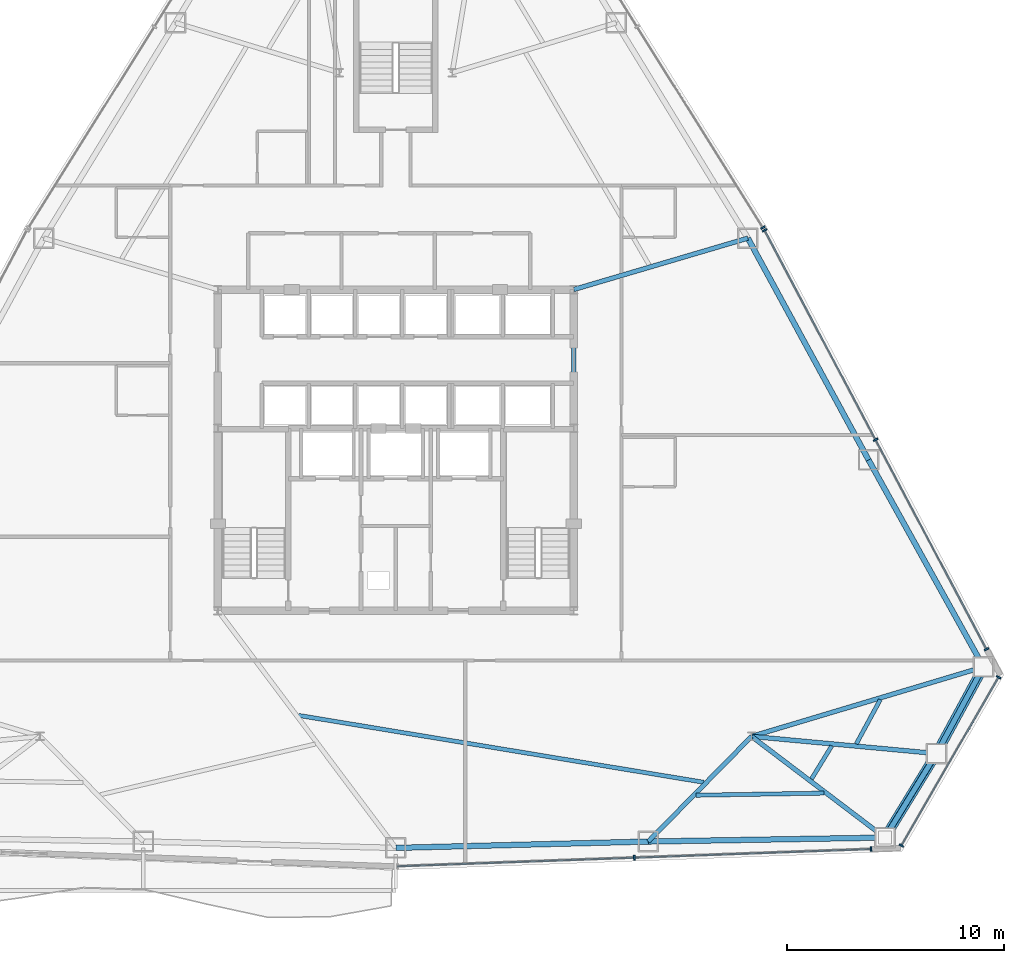
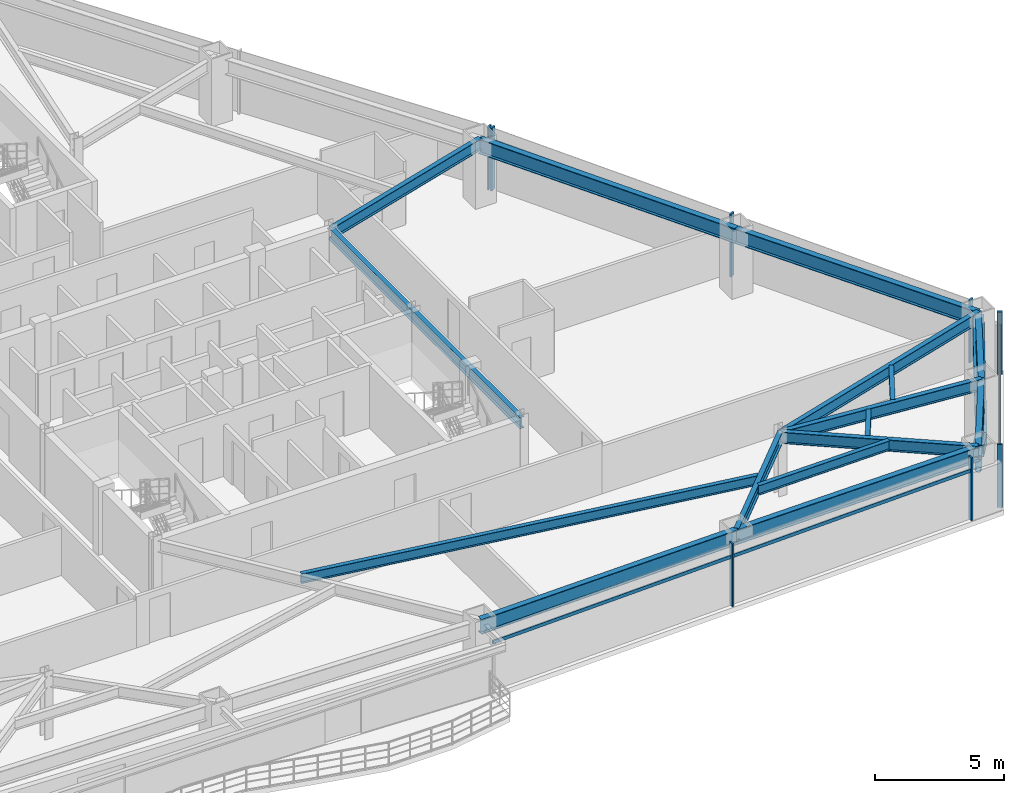
# One storey, part 6 of 13: 16 beams, 14 members, 4 elements without a shape of their own.
"""IFC4 building model written with IfcOpenShell, lengths in metres."""

from ifc_helpers import new_model, si_unit, direction, frame, origin, origin_2d, place, context, subcontext, project, spatial, rectangle, hollow_rectangle, hollow_circle, i_section, extrude, source, transform, mapped, material, layer, layer_set, material_profile, profile_set, type_object, type_shapes, element, aggregate, save


model = new_model("IFC4")

# Units and contexts
model_context = context("Model", 3, precision=1e-05, world=origin(), true_north=direction((0.0, 1.0)))
body_context = subcontext(model_context, "Body", "Model", "MODEL_VIEW")
ifc_project = project(units=[si_unit("LENGTHUNIT", "METRE"), si_unit("AREAUNIT", "SQUARE_METRE"), si_unit("VOLUMEUNIT", "CUBIC_METRE"), si_unit("PLANEANGLEUNIT", "RADIAN"), si_unit("MASSUNIT", "GRAM", prefix="KILO")], contexts=[model_context])

# Site, building, storey
site_placement = place(None, origin())
site = spatial("IfcSite", under=ifc_project, at=site_placement, CompositionType="ELEMENT")
building_placement = place(site_placement, origin())
building = spatial("IfcBuilding", under=site, at=building_placement, Name="Varakhsha Concourse Tower", CompositionType="ELEMENT")
storey_placement = place(building_placement, frame((0.0, 0.0, 95.800048828125)))
storey = spatial("IfcBuildingStorey", under=building, at=storey_placement, Name="L27", CompositionType="ELEMENT", Elevation=95.800048828125)

# Beams
ifc_material_1 = material(Name="Structural Steel ASTM A992 Grade 50", Category="steel")
ifc_material_profile_1 = material_profile(ifc_material_1, i_section(OverallWidth=0.19091796875, OverallDepth=0.45703125, WebThickness=0.009033203125, FlangeThickness=0.013916015625, at=origin_2d()), Name="W18X50")
ifc_profile_set_1 = profile_set([ifc_material_profile_1], Name="Structural Steel ASTM A992 Grade 50")
beam_type_1 = type_object("IfcBeamType", Name="BM-JST-W18X50", PredefinedType="JOIST", material=ifc_profile_set_1)
beam_1_placement = place(storey_placement, frame((35.5166015625, 11.569091796875, 2.741455078125), z_axis=(0.986648558625, -0.162863813547, 0.0), x_axis=(0.162863813547, 0.986648558625, 0.0)))
element("IfcBeam", 1, at=beam_1_placement, inside=storey, type_object=beam_type_1, Name="BM-TJST-L27-11", PredefinedType="JOIST", context=body_context, shape_type="SweptSolid", body=[
    extrude(i_section(OverallWidth=0.19091796875, OverallDepth=0.45703125, WebThickness=0.009033203125, FlangeThickness=0.013916015625, at=origin_2d()), origin(), (0.0, 0.0, 1.0), 18.931396484375),
])
beam_2_placement = place(storey_placement, frame((53.842041015625, 7.88818359375, 2.741455078125), z_axis=(0.999859894616, 0.016738910883, 0.0), x_axis=(-0.016738910883, 0.999859894616, 0.0)))
element("IfcBeam", 2, at=beam_2_placement, inside=storey, type_object=beam_type_1, Name="BM-TJST-L27-12", PredefinedType="JOIST", context=body_context, shape_type="SweptSolid", body=[
    extrude(i_section(OverallWidth=0.19091796875, OverallDepth=0.45703125, WebThickness=0.009033203125, FlangeThickness=0.013916015625, at=origin_2d()), origin(), (0.0, 0.0, 1.0), 5.892333984375),
])
beam_3_placement = place(storey_placement, frame((59.1630859375, 8.64208984375, 2.741455078125), z_axis=(0.52272616907, 0.852500646433, 0.0), x_axis=(-0.852500646433, 0.52272616907, 0.0)))
element("IfcBeam", 3, at=beam_3_placement, inside=storey, type_object=beam_type_1, Name="BM-TJST-L27-13", PredefinedType="JOIST", context=body_context, shape_type="SweptSolid", body=[
    extrude(i_section(OverallWidth=0.19091796875, OverallDepth=0.45703125, WebThickness=0.009033203125, FlangeThickness=0.013916015625, at=origin_2d()), origin(), (0.0, 0.0, 1.0), 1.779052734375),
])
beam_4_placement = place(storey_placement, frame((61.2255859375, 10.25439453125, 2.741455078125), z_axis=(0.47708490889, 0.878857206667, 0.0), x_axis=(-0.878857206667, 0.47708490889, 0.0)))
element("IfcBeam", 4, at=beam_4_placement, inside=storey, type_object=beam_type_1, Name="BM-TJST-L27-14", PredefinedType="JOIST", context=body_context, shape_type="SweptSolid", body=[
    extrude(i_section(OverallWidth=0.19091796875, OverallDepth=0.45703125, WebThickness=0.009033203125, FlangeThickness=0.013916015625, at=origin_2d()), origin(), (0.0, 0.0, 1.0), 2.32421875),
])
ifc_material_profile_2 = material_profile(ifc_material_1, i_section(OverallWidth=0.2109375, OverallDepth=0.5390625, WebThickness=0.011962890625, FlangeThickness=0.01904296875, at=origin_2d()), Name="W21X73")
ifc_profile_set_2 = profile_set([ifc_material_profile_2], Name="Structural Steel ASTM A992 Grade 50")
beam_type_2 = type_object("IfcBeamType", Name="BM-RAD-W21X73", PredefinedType="BEAM", material=ifc_profile_set_2)
beam_5_placement = place(storey_placement, frame((48.199951171875, 16.39990234375, 2.700439453125), z_axis=(0.0, 1.0, 0.0), x_axis=(-1.0, 0.0, 0.0)))
element("IfcBeam", 5, at=beam_5_placement, inside=storey, type_object=beam_type_2, Name="BM-TCORE-L27-CE", PredefinedType="BEAM", context=body_context, shape_type="SweptSolid", body=[
    extrude(i_section(OverallWidth=0.2109375, OverallDepth=0.5390625, WebThickness=0.011962890625, FlangeThickness=0.01904296875, at=origin_2d()), origin(), (0.0, 0.0, 1.0), 14.800048828125),
])
beam_6_placement = place(storey_placement, frame((56.39990234375, 10.60009765625, 2.700439453125), z_axis=(-0.701063539326, -0.713098810704, 0.0), x_axis=(0.713098810704, -0.701063539326, 0.0)))
element("IfcBeam", 6, at=beam_6_placement, inside=storey, type_object=beam_type_2, Name="L27 Radial Floor Girder 12", PredefinedType="BEAM", context=body_context, shape_type="SweptSolid", body=[
    extrude(i_section(OverallWidth=0.2109375, OverallDepth=0.5390625, WebThickness=0.011962890625, FlangeThickness=0.01904296875, at=origin_2d()), origin(), (0.0, 0.0, 1.0), 6.795654296875),
])
beam_7_placement = place(storey_placement, frame((56.39990234375, 10.60009765625, 2.700439453125), z_axis=(0.79681521448, -0.604223066403, 0.0), x_axis=(0.604223066403, 0.79681521448, 0.0)))
element("IfcBeam", 7, at=beam_7_placement, inside=storey, type_object=beam_type_2, Name="L27 Radial Floor Girder 13", PredefinedType="BEAM", context=body_context, shape_type="SweptSolid", body=[
    extrude(i_section(OverallWidth=0.2109375, OverallDepth=0.5390625, WebThickness=0.011962890625, FlangeThickness=0.01904296875, at=origin_2d()), origin(), (0.0, 0.0, 1.0), 7.717529296875),
])
beam_8_placement = place(storey_placement, frame((56.39990234375, 10.60009765625, 2.700439453125), z_axis=(0.995734610944, -0.092263668731, 0.0), x_axis=(0.092263668731, 0.995734610944, 0.0)))
element("IfcBeam", 8, at=beam_8_placement, inside=storey, type_object=beam_type_2, Name="L27 Radial Floor Girder 14", PredefinedType="BEAM", context=body_context, shape_type="SweptSolid", body=[
    extrude(i_section(OverallWidth=0.2109375, OverallDepth=0.5390625, WebThickness=0.011962890625, FlangeThickness=0.01904296875, at=origin_2d()), origin(), (0.0, 0.0, 1.0), 8.560302734375),
])
beam_9_placement = place(storey_placement, frame((56.39990234375, 10.60009765625, 2.700439453125), z_axis=(0.957930379652, 0.287000675505, 0.0), x_axis=(-0.287000675505, 0.957930379652, 0.0)))
element("IfcBeam", 9, at=beam_9_placement, inside=storey, type_object=beam_type_2, Name="L27 Radial Floor Girder 15", PredefinedType="BEAM", context=body_context, shape_type="SweptSolid", body=[
    extrude(i_section(OverallWidth=0.2109375, OverallDepth=0.5390625, WebThickness=0.011962890625, FlangeThickness=0.01904296875, at=origin_2d()), origin(), (0.0, 0.0, 1.0), 11.16064453125),
])
beam_10_placement = place(storey_placement, frame((48.199951171875, 31.199951171875, 2.700439453125), z_axis=(0.959108264711, 0.283039461143, 0.0), x_axis=(-0.283039461143, 0.959108264711, 0.0)))
element("IfcBeam", 10, at=beam_10_placement, inside=storey, type_object=beam_type_2, Name="L27 Radial Floor Girder 17", PredefinedType="BEAM", context=body_context, shape_type="SweptSolid", body=[
    extrude(i_section(OverallWidth=0.2109375, OverallDepth=0.5390625, WebThickness=0.011962890625, FlangeThickness=0.01904296875, at=origin_2d()), origin(), (0.0, 0.0, 1.0), 8.370361328125),
])
ifc_material_profile_3 = material_profile(ifc_material_1, i_section(OverallWidth=0.25390625, OverallDepth=0.701904296875, WebThickness=0.014892578125, FlangeThickness=0.028076171875, at=origin_2d()), Name="W27X129")
ifc_profile_set_3 = profile_set([ifc_material_profile_3], Name="Structural Steel ASTM A992 Grade 50")
beam_type_3 = type_object("IfcBeamType", Name="BM-SPAN-W27X129", PredefinedType="SPANDREL", material=ifc_profile_set_3)
beam_11_placement = place(storey_placement, frame((40.0, 5.46142578125, 2.618896484375), z_axis=(0.99968370363, 0.025149407483, 0.0), x_axis=(-0.025149407483, 0.99968370363, 0.0)))
element("IfcBeam", 11, at=beam_11_placement, inside=storey, type_object=beam_type_3, Name="BM-SPAN-L27-11", PredefinedType="SPANDREL", context=body_context, shape_type="SweptSolid", body=[
    extrude(i_section(OverallWidth=0.25390625, OverallDepth=0.701904296875, WebThickness=0.014892578125, FlangeThickness=0.028076171875, at=origin_2d()), origin(), (0.0, 0.0, 1.0), 11.639404296875),
])
beam_12_placement = place(storey_placement, frame((51.6357421875, 5.754150390625, 2.618896484375), z_axis=(0.999859657794, 0.016753050953, 0.0), x_axis=(-0.016753050953, 0.999859657794, 0.0)))
element("IfcBeam", 12, at=beam_12_placement, inside=storey, type_object=beam_type_3, Name="BM-SPAN-L27-12", PredefinedType="SPANDREL", context=body_context, shape_type="SweptSolid", body=[
    extrude(i_section(OverallWidth=0.25390625, OverallDepth=0.701904296875, WebThickness=0.014892578125, FlangeThickness=0.028076171875, at=origin_2d()), origin(), (0.0, 0.0, 1.0), 10.9150390625),
])
beam_13_placement = place(storey_placement, frame((62.54931640625, 5.93701171875, 2.618896484375), z_axis=(0.522612462801, 0.852570357053, 0.0), x_axis=(-0.852570357053, 0.522612462801, 0.0)))
element("IfcBeam", 13, at=beam_13_placement, inside=storey, type_object=beam_type_3, Name="BM-SPAN-L27-13", PredefinedType="SPANDREL", context=body_context, shape_type="SweptSolid", body=[
    extrude(i_section(OverallWidth=0.25390625, OverallDepth=0.701904296875, WebThickness=0.014892578125, FlangeThickness=0.028076171875, at=origin_2d()), origin(), (0.0, 0.0, 1.0), 4.54296875),
])
beam_14_placement = place(storey_placement, frame((64.923583984375, 9.810302734375, 2.618896484375), z_axis=(0.47707407482, 0.878863087821, 0.0), x_axis=(-0.878863087821, 0.47707407482, 0.0)))
element("IfcBeam", 14, at=beam_14_placement, inside=storey, type_object=beam_type_3, Name="BM-SPAN-L27-14", PredefinedType="SPANDREL", context=body_context, shape_type="SweptSolid", body=[
    extrude(i_section(OverallWidth=0.25390625, OverallDepth=0.701904296875, WebThickness=0.014892578125, FlangeThickness=0.028076171875, at=origin_2d()), origin(), (0.0, 0.0, 1.0), 4.543212890625),
])
beam_15_placement = place(storey_placement, frame((67.091064453125, 13.80322265625, 2.618896484375), z_axis=(-0.485437813763, 0.874271198753, 0.0), x_axis=(-0.874271198753, -0.485437813763, 0.0)))
element("IfcBeam", 15, at=beam_15_placement, inside=storey, type_object=beam_type_3, Name="BM-SPAN-L27-15", PredefinedType="SPANDREL", context=body_context, shape_type="SweptSolid", body=[
    extrude(i_section(OverallWidth=0.25390625, OverallDepth=0.701904296875, WebThickness=0.014892578125, FlangeThickness=0.028076171875, at=origin_2d()), origin(), (0.0, 0.0, 1.0), 10.9150390625),
])
beam_16_placement = place(storey_placement, frame((61.79248046875, 23.345947265625, 2.618896484375), z_axis=(-0.478070108108, 0.878321678962, 0.0), x_axis=(-0.878321678962, -0.478070108108, 0.0)))
element("IfcBeam", 16, at=beam_16_placement, inside=storey, type_object=beam_type_3, Name="BM-SPAN-L27-16", PredefinedType="SPANDREL", context=body_context, shape_type="SweptSolid", body=[
    extrude(i_section(OverallWidth=0.25390625, OverallDepth=0.701904296875, WebThickness=0.014892578125, FlangeThickness=0.028076171875, at=origin_2d()), origin(), (0.0, 0.0, 1.0), 11.639404296875),
])

# Members
ifc_material_2 = material(Name="Structural Steel ASTM A500 Grade C", Category="steel")
ifc_material_profile_4 = material_profile(ifc_material_2, hollow_rectangle(XDim=0.449951171875, YDim=0.449951171875, WallThickness=0.01904296875, at=origin_2d()), Name="HSS 450x450x19")
ifc_profile_set_4 = profile_set([ifc_material_profile_4], Name="Structural Steel ASTM A500 Grade C")
member_type_1 = type_object("IfcMemberType", Name="MB-TUBE-HSS450", PredefinedType="BRACE", material=ifc_profile_set_4)
shared_shape_1 = source(origin(), body_context, "Body", "SweptSolid", [
    extrude(hollow_rectangle(XDim=0.449951171875, YDim=0.449951171875, WallThickness=0.01904296875, at=origin_2d()), origin(), (0.0, 0.0, 1.0), 5.209716796875),
])
member_1_placement = place(storey_placement, frame((64.923583984375, 9.810302734375, 0.119873046875), z_axis=(-0.455728834784, -0.743458916591, 0.48946917011), x_axis=(0.852570357053, -0.522612462801, 0.0)))
element("IfcMember", 17, at=member_1_placement, inside=storey, type_object=member_type_1, Name="L27 Wind-Corner Tube Brace B05", PredefinedType="BRACE", context=body_context, shape_type="MappedRepresentation", body=[
    mapped(shared_shape_1, transform((0.0, 0.0, 0.0), scale=1.0)),
])
shared_shape_2 = source(origin(), body_context, "Body", "SweptSolid", [
    extrude(hollow_rectangle(XDim=0.449951171875, YDim=0.449951171875, WallThickness=0.01904296875, at=origin_2d()), origin(), (0.0, 0.0, 1.0), 5.2099609375),
])
type_shapes(member_type_1, [shared_shape_1, shared_shape_2])
member_2_placement = place(storey_placement, frame((64.923583984375, 9.810302734375, 0.119873046875), z_axis=(0.416022891855, 0.766394953401, 0.489452478647), x_axis=(-0.878863087821, 0.47707407482, 0.0)))
element("IfcMember", 18, at=member_2_placement, inside=storey, type_object=member_type_1, Name="L27 Wind-Corner Tube Brace B06", PredefinedType="BRACE", context=body_context, shape_type="MappedRepresentation", body=[
    mapped(shared_shape_2, transform((0.0, 0.0, 0.0), scale=1.0)),
])
ifc_material_profile_5 = material_profile(ifc_material_2, hollow_circle(Radius=0.136474609375, WallThickness=0.011962890625, at=origin_2d()), Name="CHS 273x12")
ifc_profile_set_5 = profile_set([ifc_material_profile_5], Name="Structural Steel ASTM A500 Grade C")
member_type_2 = type_object("IfcMemberType", Name="MB-WIND-CHS273", PredefinedType="COLLAR", material=ifc_profile_set_5)
shared_shape_3 = source(origin(), body_context, "Body", "SweptSolid", [
    extrude(hollow_circle(Radius=0.136474609375, WallThickness=0.011962890625, at=origin_2d()), origin(), (0.0, 0.0, 1.0), 4.54296875),
])
type_shapes(member_type_2, [shared_shape_3])
member_3_placement = place(storey_placement, frame((62.54931640625, 5.93701171875, 1.800048828125), z_axis=(0.522612462801, 0.852570357053, 0.0), x_axis=(-0.852570357053, 0.522612462801, 0.0)))
element("IfcMember", 19, at=member_3_placement, inside=storey, type_object=member_type_2, Name="L27 Wind-Corner Collar Tie 3", PredefinedType="COLLAR", context=body_context, shape_type="MappedRepresentation", body=[
    mapped(shared_shape_3, transform((0.0, 0.0, 0.0), scale=1.0)),
])

# Curtain wall, members
ifc_material_3 = material(Name="Anodised Bronze Architectural Aluminium AA 6063-T6", Category="aluminium")
ifc_layer = layer(ifc_material_3, 0.199951171875, Name="CW-SYS-03")
ifc_layer_set = layer_set([ifc_layer], Name="Anodised Bronze Architectural Aluminium AA 6063-T6")
curtain_wall_type = type_object("IfcCurtainWallType", Name="CW-SYS-03", PredefinedType="NOTDEFINED", material=ifc_layer_set)
curtain_wall_1_placement = place(storey_placement, origin())
curtain_wall_1 = element("IfcCurtainWall", 20, at=curtain_wall_1_placement, inside=storey, type_object=curtain_wall_type, Name="L27 Crystal Curtain Wall F6", PredefinedType="NOTDEFINED")
ifc_material_profile_6 = material_profile(ifc_material_3, rectangle(XDim=0.074951171875, YDim=0.219970703125, at=origin_2d()), Name="CWM-220X75")
ifc_profile_set_6 = profile_set([ifc_material_profile_6], Name="Anodised Bronze Architectural Aluminium AA 6063-T6")
member_type_3 = type_object("IfcMemberType", Name="CWM-220X75", PredefinedType="MULLION", material=ifc_profile_set_6)
shared_shape_4 = source(origin(), body_context, "Body", "SweptSolid", [
    extrude(rectangle(XDim=0.074951171875, YDim=0.219970703125, at=origin_2d()), origin(), (0.0, 0.0, 1.0), 2.969970703125),
])
type_shapes(member_type_3, [shared_shape_4])
member_4_placement = place(storey_placement, frame((61.910888671875, 5.408203125, 0.0), z_axis=(0.0, 0.0, 1.0), x_axis=(-0.999336427987, -0.03642394403, 0.0)))
member_4 = element("IfcMember", 21, at=member_4_placement, type_object=member_type_3, Name="CW-L27-F6 Mullion 00", PredefinedType="MULLION", context=body_context, shape_type="MappedRepresentation", body=[
    mapped(shared_shape_4, transform((0.0, 0.0, 0.0), scale=1.0)),
])
member_5_placement = place(storey_placement, frame((50.992431640625, 5.01025390625, 0.0), z_axis=(0.0, 0.0, 1.0), x_axis=(-0.999336427987, -0.03642394403, 0.0)))
member_5 = element("IfcMember", 22, at=member_5_placement, type_object=member_type_3, Name="CW-L27-F6 Mullion 01", PredefinedType="MULLION", context=body_context, shape_type="MappedRepresentation", body=[
    mapped(shared_shape_4, transform((0.0, 0.0, 0.0), scale=1.0)),
])

curtain_wall_2_placement = place(storey_placement, origin())
curtain_wall_2 = element("IfcCurtainWall", 23, at=curtain_wall_2_placement, inside=storey, type_object=curtain_wall_type, Name="L27 Chamfer Curtain Wall F7", PredefinedType="NOTDEFINED")
member_6_placement = place(storey_placement, frame((67.787109375, 13.330078125, 0.0), z_axis=(0.0, 0.0, 1.0), x_axis=(-0.5, -0.866025403784, 0.0)))
member_6 = element("IfcMember", 24, at=member_6_placement, type_object=member_type_3, Name="CW-L27-F7 Mullion 00", PredefinedType="MULLION", context=body_context, shape_type="MappedRepresentation", body=[
    mapped(shared_shape_4, transform((0.0, 0.0, 0.0), scale=1.0)),
])
member_7_placement = place(storey_placement, frame((63.30712890625, 5.570556640625, 0.0), z_axis=(0.0, 0.0, 1.0), x_axis=(-0.5, -0.866025403784, 0.0)))
member_7 = element("IfcMember", 25, at=member_7_placement, type_object=member_type_3, Name="CW-L27-F7 Mullion 01", PredefinedType="MULLION", context=body_context, shape_type="MappedRepresentation", body=[
    mapped(shared_shape_4, transform((0.0, 0.0, 0.0), scale=1.0)),
])

curtain_wall_3_placement = place(storey_placement, origin())
curtain_wall_3 = element("IfcCurtainWall", 26, at=curtain_wall_3_placement, inside=storey, type_object=curtain_wall_type, Name="L27 Crystal Curtain Wall F8", PredefinedType="NOTDEFINED")
member_8_placement = place(storey_placement, frame((57.00048828125, 33.9296875, 0.0), z_axis=(0.0, 0.0, 1.0), x_axis=(0.468124153157, -0.883662705579, 0.0)))
member_8 = element("IfcMember", 27, at=member_8_placement, type_object=member_type_3, Name="CW-L27-F8 Mullion 00", PredefinedType="MULLION", context=body_context, shape_type="MappedRepresentation", body=[
    mapped(shared_shape_4, transform((0.0, 0.0, 0.0), scale=1.0)),
])
member_9_placement = place(storey_placement, frame((62.114990234375, 24.275146484375, 0.0), z_axis=(0.0, 0.0, 1.0), x_axis=(0.468124153157, -0.883662705579, 0.0)))
member_9 = element("IfcMember", 28, at=member_9_placement, type_object=member_type_3, Name="CW-L27-F8 Mullion 01", PredefinedType="MULLION", context=body_context, shape_type="MappedRepresentation", body=[
    mapped(shared_shape_4, transform((0.0, 0.0, 0.0), scale=1.0)),
])
member_10_placement = place(storey_placement, frame((67.2294921875, 14.62060546875, 0.0), z_axis=(0.0, 0.0, 1.0), x_axis=(0.468124153157, -0.883662705579, 0.0)))
member_10 = element("IfcMember", 29, at=member_10_placement, type_object=member_type_3, Name="CW-L27-F8 Mullion 02", PredefinedType="MULLION", context=body_context, shape_type="MappedRepresentation", body=[
    mapped(shared_shape_4, transform((0.0, 0.0, 0.0), scale=1.0)),
])

# Curtain wall, member
curtain_wall_4_placement = place(storey_placement, origin())
curtain_wall_4 = element("IfcCurtainWall", 30, at=curtain_wall_4_placement, inside=storey, type_object=curtain_wall_type, Name="L27 Crystal Curtain Wall F9", PredefinedType="NOTDEFINED")
member_11_placement = place(storey_placement, frame((56.92626953125, 34.05810546875, 0.0), z_axis=(0.0, 0.0, 1.0), x_axis=(0.531209317405, -0.847240615824, 0.0)))
member_11 = element("IfcMember", 31, at=member_11_placement, type_object=member_type_3, Name="CW-L27-F9 Mullion 02", PredefinedType="MULLION", context=body_context, shape_type="MappedRepresentation", body=[
    mapped(shared_shape_4, transform((0.0, 0.0, 0.0), scale=1.0)),
])
aggregate(curtain_wall_4, [member_11])

# Member
ifc_material_profile_7 = material_profile(ifc_material_3, rectangle(XDim=0.06494140625, YDim=0.159912109375, at=origin_2d()), Name="CWT-160X65")
ifc_profile_set_7 = profile_set([ifc_material_profile_7], Name="Anodised Bronze Architectural Aluminium AA 6063-T6")
member_type_4 = type_object("IfcMemberType", Name="CWT-160X65", PredefinedType="USERDEFINED", material=ifc_profile_set_7)
shared_shape_5 = source(origin(), body_context, "Body", "SweptSolid", [
    extrude(rectangle(XDim=0.06494140625, YDim=0.159912109375, at=origin_2d()), origin(), (0.0, 0.0, 1.0), 8.9599609375),
])
member_12_placement = place(storey_placement, frame((67.787109375, 13.330078125, 2.320068359375), z_axis=(-0.500001561196, -0.866024502425, 0.0), x_axis=(0.866024502425, -0.500001561196, 0.0)))
member_12 = element("IfcMember", 32, at=member_12_placement, type_object=member_type_4, Name="CW-L27-F7 Transom 01", ObjectType="TRANSOM", PredefinedType="USERDEFINED", context=body_context, shape_type="MappedRepresentation", body=[
    mapped(shared_shape_5, transform((0.0, 0.0, 0.0), scale=1.0)),
])

aggregate(curtain_wall_2, [member_6, member_7, member_12])

shared_shape_6 = source(origin(), body_context, "Body", "SweptSolid", [
    extrude(rectangle(XDim=0.06494140625, YDim=0.159912109375, at=origin_2d()), origin(), (0.0, 0.0, 1.0), 21.85107421875),
])
type_shapes(member_type_4, [shared_shape_5, shared_shape_6])
member_13_placement = place(storey_placement, frame((61.910888671875, 5.408203125, 2.320068359375), z_axis=(-0.999336440224, -0.036423608277, 0.0), x_axis=(0.036423608277, -0.999336440224, 0.0)))
member_13 = element("IfcMember", 33, at=member_13_placement, type_object=member_type_4, Name="CW-L27-F6 Transom 01", ObjectType="TRANSOM", PredefinedType="USERDEFINED", context=body_context, shape_type="MappedRepresentation", body=[
    mapped(shared_shape_6, transform((0.0, 0.0, 0.0), scale=1.0)),
])

aggregate(curtain_wall_1, [member_4, member_5, member_13])

member_14_placement = place(storey_placement, frame((57.00048828125, 33.9296875, 2.320068359375), z_axis=(0.468121791174, -0.883663956846, 0.0), x_axis=(0.883663956846, 0.468121791174, 0.0)))
member_14 = element("IfcMember", 34, at=member_14_placement, type_object=member_type_4, Name="CW-L27-F8 Transom 01", ObjectType="TRANSOM", PredefinedType="USERDEFINED", context=body_context, shape_type="MappedRepresentation", body=[
    mapped(shared_shape_6, transform((0.0, 0.0, 0.0), scale=1.0)),
])

aggregate(curtain_wall_3, [member_8, member_9, member_10, member_14])

save(model, "model.ifc")
